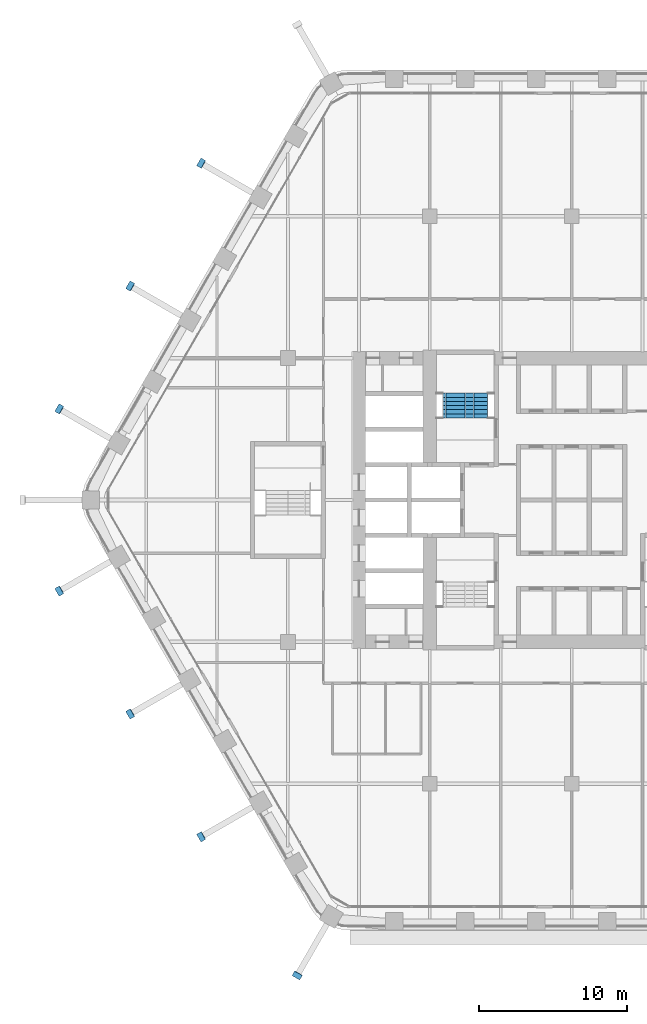
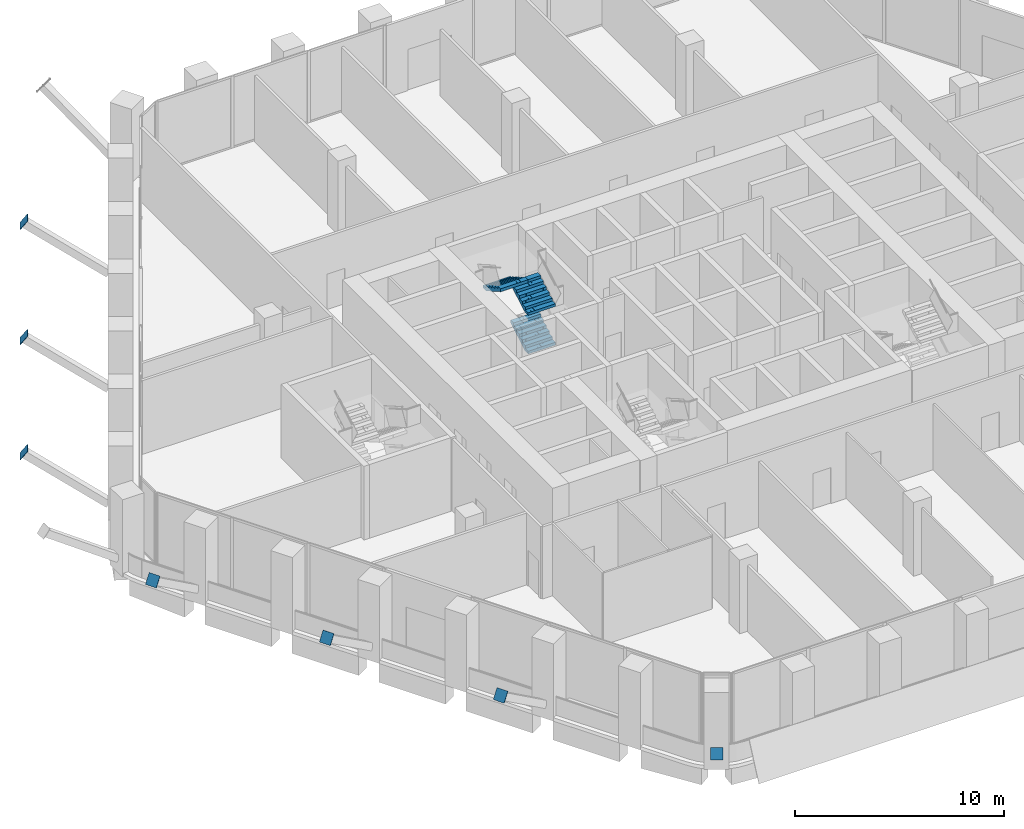
# One storey, part 23 of 27: 7 discrete accessories, 3 stair flights, 1 element without a shape of its own.
"""IFC4 building model written with IfcOpenShell, lengths in metres."""

from ifc_helpers import new_model, si_unit, direction, frame, origin, origin_2d, place, context, subcontext, project, spatial, polyline, rectangle, outline, extrude, material, type_object, element, aggregate, save


model = new_model("IFC4")

# Units and contexts
model_context = context("Model", 3, precision=1e-05, world=origin(), true_north=direction((0.0, 1.0)))
body_context = subcontext(model_context, "Body", "Model", "MODEL_VIEW")
ifc_project = project(units=[si_unit("LENGTHUNIT", "METRE"), si_unit("AREAUNIT", "SQUARE_METRE"), si_unit("VOLUMEUNIT", "CUBIC_METRE"), si_unit("PLANEANGLEUNIT", "RADIAN"), si_unit("MASSUNIT", "GRAM", prefix="KILO")], contexts=[model_context])

# Site, building, storey
site_placement = place(None, origin())
site = spatial("IfcSite", under=ifc_project, at=site_placement, CompositionType="ELEMENT")
building_placement = place(site_placement, origin())
building = spatial("IfcBuilding", under=site, at=building_placement, Name="Kolab Exchange Tower", CompositionType="ELEMENT")
storey_placement = place(building_placement, frame((0.0, 0.0, 118.39990234375)))
storey = spatial("IfcBuildingStorey", under=building, at=storey_placement, Name="L23", CompositionType="ELEMENT", Elevation=118.39990234375)

# Stair, stair flights
ifc_material = material(Name="Concrete C50/60", Category="concrete")
stair_type = type_object("IfcStairType", Name="STAIR ST1 RISER 160.7", PredefinedType="DOUBLE_RETURN_STAIR", material=ifc_material)
stair_placement = place(storey_placement, origin())
stair = element("IfcStair", 1, at=stair_placement, inside=storey, type_object=stair_type, Name="Stair 1", PredefinedType="DOUBLE_RETURN_STAIR")
stair_flight_type = type_object("IfcStairFlightType", Name="STAIR FLIGHT 1500 RISER 160.7", PredefinedType="STRAIGHT", material=ifc_material)
stair_flight_1_placement = place(storey_placement, frame((-6.43994140625, 5.550048828125, 0.0), z_axis=(0.0, 0.0, 1.0), x_axis=(0.0, 1.0, 0.0)))
stair_flight_1 = element("IfcStairFlight", 2, at=stair_flight_1_placement, type_object=stair_flight_type, Name="ST1 flight 1", NumberOfRisers=7, NumberOfTreads=6, PredefinedType="STRAIGHT", RiserHeight=0.160714286, TreadLength=0.28, context=body_context, shape_type="SweptSolid", body=[
    extrude(outline(polyline([(0.0, 0.0), (0.0, 0.16064453125), (0.280029296875, 0.16064453125), (0.280029296875, 0.321533203125), (0.56005859375, 0.321533203125), (0.56005859375, 0.482177734375), (0.840087890625, 0.482177734375), (0.840087890625, 0.642822265625), (1.1201171875, 0.642822265625), (1.1201171875, 0.803466796875), (1.39990234375, 0.803466796875), (1.39990234375, 0.96435546875), (1.679931640625, 0.96435546875), (1.679931640625, 1.125), (1.679931640625, 0.79150390625), (0.301025390625, 0.0), (0.0, 0.0)])), frame((0.0, 0.75, 0.0), z_axis=(0.0, -1.0, 0.0), x_axis=(1.0, 0.0, 0.0)), (0.0, 0.0, 1.0), 0.185791015625),
    extrude(outline(polyline([(0.0, 0.0), (0.0, 0.16064453125), (0.280029296875, 0.16064453125), (0.280029296875, 0.321533203125), (0.56005859375, 0.321533203125), (0.56005859375, 0.482177734375), (0.840087890625, 0.482177734375), (0.840087890625, 0.642822265625), (1.1201171875, 0.642822265625), (1.1201171875, 0.803466796875), (1.39990234375, 0.803466796875), (1.39990234375, 0.96435546875), (1.679931640625, 0.96435546875), (1.679931640625, 1.125), (1.679931640625, 0.79150390625), (0.301025390625, 0.0), (0.0, 0.0)])), frame((0.0, 0.562255859375, 0.0), z_axis=(0.0, -1.0, 0.0), x_axis=(1.0, 0.0, 0.0)), (0.0, 0.0, 1.0), 0.185791015625),
    extrude(outline(polyline([(0.0, 0.0), (0.0, 0.16064453125), (0.280029296875, 0.16064453125), (0.280029296875, 0.321533203125), (0.56005859375, 0.321533203125), (0.56005859375, 0.482177734375), (0.840087890625, 0.482177734375), (0.840087890625, 0.642822265625), (1.1201171875, 0.642822265625), (1.1201171875, 0.803466796875), (1.39990234375, 0.803466796875), (1.39990234375, 0.96435546875), (1.679931640625, 0.96435546875), (1.679931640625, 1.125), (1.679931640625, 0.79150390625), (0.301025390625, 0.0), (0.0, 0.0)])), frame((0.0, 0.37451171875, 0.0), z_axis=(0.0, -1.0, 0.0), x_axis=(1.0, 0.0, 0.0)), (0.0, 0.0, 1.0), 0.185791015625),
    extrude(outline(polyline([(0.0, 0.0), (0.0, 0.16064453125), (0.280029296875, 0.16064453125), (0.280029296875, 0.321533203125), (0.56005859375, 0.321533203125), (0.56005859375, 0.482177734375), (0.840087890625, 0.482177734375), (0.840087890625, 0.642822265625), (1.1201171875, 0.642822265625), (1.1201171875, 0.803466796875), (1.39990234375, 0.803466796875), (1.39990234375, 0.96435546875), (1.679931640625, 0.96435546875), (1.679931640625, 1.125), (1.679931640625, 0.79150390625), (0.301025390625, 0.0), (0.0, 0.0)])), frame((0.0, 0.186767578125, 0.0), z_axis=(0.0, -1.0, 0.0), x_axis=(1.0, 0.0, 0.0)), (0.0, 0.0, 1.0), 0.185791015625),
    extrude(outline(polyline([(0.0, 0.0), (0.0, 0.16064453125), (0.280029296875, 0.16064453125), (0.280029296875, 0.321533203125), (0.56005859375, 0.321533203125), (0.56005859375, 0.482177734375), (0.840087890625, 0.482177734375), (0.840087890625, 0.642822265625), (1.1201171875, 0.642822265625), (1.1201171875, 0.803466796875), (1.39990234375, 0.803466796875), (1.39990234375, 0.96435546875), (1.679931640625, 0.96435546875), (1.679931640625, 1.125), (1.679931640625, 0.79150390625), (0.301025390625, 0.0), (0.0, 0.0)])), frame((0.0, -0.0009765625, 0.0), z_axis=(0.0, -1.0, 0.0), x_axis=(1.0, 0.0, 0.0)), (0.0, 0.0, 1.0), 0.185791015625),
    extrude(outline(polyline([(0.0, 0.0), (0.0, 0.16064453125), (0.280029296875, 0.16064453125), (0.280029296875, 0.321533203125), (0.56005859375, 0.321533203125), (0.56005859375, 0.482177734375), (0.840087890625, 0.482177734375), (0.840087890625, 0.642822265625), (1.1201171875, 0.642822265625), (1.1201171875, 0.803466796875), (1.39990234375, 0.803466796875), (1.39990234375, 0.96435546875), (1.679931640625, 0.96435546875), (1.679931640625, 1.125), (1.679931640625, 0.79150390625), (0.301025390625, 0.0), (0.0, 0.0)])), frame((0.0, -0.188720703125, 0.0), z_axis=(0.0, -1.0, 0.0), x_axis=(1.0, 0.0, 0.0)), (0.0, 0.0, 1.0), 0.185791015625),
    extrude(outline(polyline([(0.0, 0.0), (0.0, 0.16064453125), (0.280029296875, 0.16064453125), (0.280029296875, 0.321533203125), (0.56005859375, 0.321533203125), (0.56005859375, 0.482177734375), (0.840087890625, 0.482177734375), (0.840087890625, 0.642822265625), (1.1201171875, 0.642822265625), (1.1201171875, 0.803466796875), (1.39990234375, 0.803466796875), (1.39990234375, 0.96435546875), (1.679931640625, 0.96435546875), (1.679931640625, 1.125), (1.679931640625, 0.79150390625), (0.301025390625, 0.0), (0.0, 0.0)])), frame((0.0, -0.37646484375, 0.0), z_axis=(0.0, -1.0, 0.0), x_axis=(1.0, 0.0, 0.0)), (0.0, 0.0, 1.0), 0.185791015625),
    extrude(outline(polyline([(0.0, 0.0), (0.0, 0.16064453125), (0.280029296875, 0.16064453125), (0.280029296875, 0.321533203125), (0.56005859375, 0.321533203125), (0.56005859375, 0.482177734375), (0.840087890625, 0.482177734375), (0.840087890625, 0.642822265625), (1.1201171875, 0.642822265625), (1.1201171875, 0.803466796875), (1.39990234375, 0.803466796875), (1.39990234375, 0.96435546875), (1.679931640625, 0.96435546875), (1.679931640625, 1.125), (1.679931640625, 0.79150390625), (0.301025390625, 0.0), (0.0, 0.0)])), frame((0.0, -0.564208984375, 0.0), z_axis=(0.0, -1.0, 0.0), x_axis=(1.0, 0.0, 0.0)), (0.0, 0.0, 1.0), 0.185791015625),
])
stair_flight_2_placement = place(storey_placement, frame((-6.43994140625, 5.550048828125, 2.25), z_axis=(0.0, 0.0, 1.0), x_axis=(0.0, 1.0, 0.0)))
stair_flight_2 = element("IfcStairFlight", 3, at=stair_flight_2_placement, type_object=stair_flight_type, Name="ST1 flight 3", NumberOfRisers=7, NumberOfTreads=6, PredefinedType="STRAIGHT", RiserHeight=0.160714286, TreadLength=0.28, context=body_context, shape_type="SweptSolid", body=[
    extrude(outline(polyline([(0.0, 0.0), (0.0, 0.16064453125), (0.280029296875, 0.16064453125), (0.280029296875, 0.321533203125), (0.56005859375, 0.321533203125), (0.56005859375, 0.482177734375), (0.840087890625, 0.482177734375), (0.840087890625, 0.642822265625), (1.1201171875, 0.642822265625), (1.1201171875, 0.803466796875), (1.39990234375, 0.803466796875), (1.39990234375, 0.96435546875), (1.679931640625, 0.96435546875), (1.679931640625, 1.125), (1.679931640625, 0.79150390625), (0.301025390625, 0.0), (0.0, 0.0)])), frame((0.0, 0.75, 0.0), z_axis=(0.0, -1.0, 0.0), x_axis=(1.0, 0.0, 0.0)), (0.0, 0.0, 1.0), 0.185791015625),
    extrude(outline(polyline([(0.0, 0.0), (0.0, 0.16064453125), (0.280029296875, 0.16064453125), (0.280029296875, 0.321533203125), (0.56005859375, 0.321533203125), (0.56005859375, 0.482177734375), (0.840087890625, 0.482177734375), (0.840087890625, 0.642822265625), (1.1201171875, 0.642822265625), (1.1201171875, 0.803466796875), (1.39990234375, 0.803466796875), (1.39990234375, 0.96435546875), (1.679931640625, 0.96435546875), (1.679931640625, 1.125), (1.679931640625, 0.79150390625), (0.301025390625, 0.0), (0.0, 0.0)])), frame((0.0, 0.562255859375, 0.0), z_axis=(0.0, -1.0, 0.0), x_axis=(1.0, 0.0, 0.0)), (0.0, 0.0, 1.0), 0.185791015625),
    extrude(outline(polyline([(0.0, 0.0), (0.0, 0.16064453125), (0.280029296875, 0.16064453125), (0.280029296875, 0.321533203125), (0.56005859375, 0.321533203125), (0.56005859375, 0.482177734375), (0.840087890625, 0.482177734375), (0.840087890625, 0.642822265625), (1.1201171875, 0.642822265625), (1.1201171875, 0.803466796875), (1.39990234375, 0.803466796875), (1.39990234375, 0.96435546875), (1.679931640625, 0.96435546875), (1.679931640625, 1.125), (1.679931640625, 0.79150390625), (0.301025390625, 0.0), (0.0, 0.0)])), frame((0.0, 0.37451171875, 0.0), z_axis=(0.0, -1.0, 0.0), x_axis=(1.0, 0.0, 0.0)), (0.0, 0.0, 1.0), 0.185791015625),
    extrude(outline(polyline([(0.0, 0.0), (0.0, 0.16064453125), (0.280029296875, 0.16064453125), (0.280029296875, 0.321533203125), (0.56005859375, 0.321533203125), (0.56005859375, 0.482177734375), (0.840087890625, 0.482177734375), (0.840087890625, 0.642822265625), (1.1201171875, 0.642822265625), (1.1201171875, 0.803466796875), (1.39990234375, 0.803466796875), (1.39990234375, 0.96435546875), (1.679931640625, 0.96435546875), (1.679931640625, 1.125), (1.679931640625, 0.79150390625), (0.301025390625, 0.0), (0.0, 0.0)])), frame((0.0, 0.186767578125, 0.0), z_axis=(0.0, -1.0, 0.0), x_axis=(1.0, 0.0, 0.0)), (0.0, 0.0, 1.0), 0.185791015625),
    extrude(outline(polyline([(0.0, 0.0), (0.0, 0.16064453125), (0.280029296875, 0.16064453125), (0.280029296875, 0.321533203125), (0.56005859375, 0.321533203125), (0.56005859375, 0.482177734375), (0.840087890625, 0.482177734375), (0.840087890625, 0.642822265625), (1.1201171875, 0.642822265625), (1.1201171875, 0.803466796875), (1.39990234375, 0.803466796875), (1.39990234375, 0.96435546875), (1.679931640625, 0.96435546875), (1.679931640625, 1.125), (1.679931640625, 0.79150390625), (0.301025390625, 0.0), (0.0, 0.0)])), frame((0.0, -0.0009765625, 0.0), z_axis=(0.0, -1.0, 0.0), x_axis=(1.0, 0.0, 0.0)), (0.0, 0.0, 1.0), 0.185791015625),
    extrude(outline(polyline([(0.0, 0.0), (0.0, 0.16064453125), (0.280029296875, 0.16064453125), (0.280029296875, 0.321533203125), (0.56005859375, 0.321533203125), (0.56005859375, 0.482177734375), (0.840087890625, 0.482177734375), (0.840087890625, 0.642822265625), (1.1201171875, 0.642822265625), (1.1201171875, 0.803466796875), (1.39990234375, 0.803466796875), (1.39990234375, 0.96435546875), (1.679931640625, 0.96435546875), (1.679931640625, 1.125), (1.679931640625, 0.79150390625), (0.301025390625, 0.0), (0.0, 0.0)])), frame((0.0, -0.188720703125, 0.0), z_axis=(0.0, -1.0, 0.0), x_axis=(1.0, 0.0, 0.0)), (0.0, 0.0, 1.0), 0.185791015625),
    extrude(outline(polyline([(0.0, 0.0), (0.0, 0.16064453125), (0.280029296875, 0.16064453125), (0.280029296875, 0.321533203125), (0.56005859375, 0.321533203125), (0.56005859375, 0.482177734375), (0.840087890625, 0.482177734375), (0.840087890625, 0.642822265625), (1.1201171875, 0.642822265625), (1.1201171875, 0.803466796875), (1.39990234375, 0.803466796875), (1.39990234375, 0.96435546875), (1.679931640625, 0.96435546875), (1.679931640625, 1.125), (1.679931640625, 0.79150390625), (0.301025390625, 0.0), (0.0, 0.0)])), frame((0.0, -0.37646484375, 0.0), z_axis=(0.0, -1.0, 0.0), x_axis=(1.0, 0.0, 0.0)), (0.0, 0.0, 1.0), 0.185791015625),
    extrude(outline(polyline([(0.0, 0.0), (0.0, 0.16064453125), (0.280029296875, 0.16064453125), (0.280029296875, 0.321533203125), (0.56005859375, 0.321533203125), (0.56005859375, 0.482177734375), (0.840087890625, 0.482177734375), (0.840087890625, 0.642822265625), (1.1201171875, 0.642822265625), (1.1201171875, 0.803466796875), (1.39990234375, 0.803466796875), (1.39990234375, 0.96435546875), (1.679931640625, 0.96435546875), (1.679931640625, 1.125), (1.679931640625, 0.79150390625), (0.301025390625, 0.0), (0.0, 0.0)])), frame((0.0, -0.564208984375, 0.0), z_axis=(0.0, -1.0, 0.0), x_axis=(1.0, 0.0, 0.0)), (0.0, 0.0, 1.0), 0.185791015625),
])
stair_flight_3_placement = place(storey_placement, frame((-7.9599609375, 7.22998046875, 3.375), z_axis=(0.0, 0.0, 1.0), x_axis=(0.0, -1.0, 0.0)))
stair_flight_3 = element("IfcStairFlight", 4, at=stair_flight_3_placement, type_object=stair_flight_type, Name="ST1 flight 4", NumberOfRisers=7, NumberOfTreads=6, PredefinedType="STRAIGHT", RiserHeight=0.160714286, TreadLength=0.28, context=body_context, shape_type="SweptSolid", body=[
    extrude(outline(polyline([(0.0, 0.0), (0.0, 0.16064453125), (0.280029296875, 0.16064453125), (0.280029296875, 0.321533203125), (0.56005859375, 0.321533203125), (0.56005859375, 0.482177734375), (0.840087890625, 0.482177734375), (0.840087890625, 0.642822265625), (1.1201171875, 0.642822265625), (1.1201171875, 0.803466796875), (1.39990234375, 0.803466796875), (1.39990234375, 0.96435546875), (1.679931640625, 0.96435546875), (1.679931640625, 1.125), (1.679931640625, 0.79150390625), (0.301025390625, 0.0), (0.0, 0.0)])), frame((0.0, 0.75, 0.0), z_axis=(0.0, -1.0, 0.0), x_axis=(1.0, 0.0, 0.0)), (0.0, 0.0, 1.0), 0.185791015625),
    extrude(outline(polyline([(0.0, 0.0), (0.0, 0.16064453125), (0.280029296875, 0.16064453125), (0.280029296875, 0.321533203125), (0.56005859375, 0.321533203125), (0.56005859375, 0.482177734375), (0.840087890625, 0.482177734375), (0.840087890625, 0.642822265625), (1.1201171875, 0.642822265625), (1.1201171875, 0.803466796875), (1.39990234375, 0.803466796875), (1.39990234375, 0.96435546875), (1.679931640625, 0.96435546875), (1.679931640625, 1.125), (1.679931640625, 0.79150390625), (0.301025390625, 0.0), (0.0, 0.0)])), frame((0.0, 0.562255859375, 0.0), z_axis=(0.0, -1.0, 0.0), x_axis=(1.0, 0.0, 0.0)), (0.0, 0.0, 1.0), 0.185791015625),
    extrude(outline(polyline([(0.0, 0.0), (0.0, 0.16064453125), (0.280029296875, 0.16064453125), (0.280029296875, 0.321533203125), (0.56005859375, 0.321533203125), (0.56005859375, 0.482177734375), (0.840087890625, 0.482177734375), (0.840087890625, 0.642822265625), (1.1201171875, 0.642822265625), (1.1201171875, 0.803466796875), (1.39990234375, 0.803466796875), (1.39990234375, 0.96435546875), (1.679931640625, 0.96435546875), (1.679931640625, 1.125), (1.679931640625, 0.79150390625), (0.301025390625, 0.0), (0.0, 0.0)])), frame((0.0, 0.37451171875, 0.0), z_axis=(0.0, -1.0, 0.0), x_axis=(1.0, 0.0, 0.0)), (0.0, 0.0, 1.0), 0.185791015625),
    extrude(outline(polyline([(0.0, 0.0), (0.0, 0.16064453125), (0.280029296875, 0.16064453125), (0.280029296875, 0.321533203125), (0.56005859375, 0.321533203125), (0.56005859375, 0.482177734375), (0.840087890625, 0.482177734375), (0.840087890625, 0.642822265625), (1.1201171875, 0.642822265625), (1.1201171875, 0.803466796875), (1.39990234375, 0.803466796875), (1.39990234375, 0.96435546875), (1.679931640625, 0.96435546875), (1.679931640625, 1.125), (1.679931640625, 0.79150390625), (0.301025390625, 0.0), (0.0, 0.0)])), frame((0.0, 0.186767578125, 0.0), z_axis=(0.0, -1.0, 0.0), x_axis=(1.0, 0.0, 0.0)), (0.0, 0.0, 1.0), 0.185791015625),
    extrude(outline(polyline([(0.0, 0.0), (0.0, 0.16064453125), (0.280029296875, 0.16064453125), (0.280029296875, 0.321533203125), (0.56005859375, 0.321533203125), (0.56005859375, 0.482177734375), (0.840087890625, 0.482177734375), (0.840087890625, 0.642822265625), (1.1201171875, 0.642822265625), (1.1201171875, 0.803466796875), (1.39990234375, 0.803466796875), (1.39990234375, 0.96435546875), (1.679931640625, 0.96435546875), (1.679931640625, 1.125), (1.679931640625, 0.79150390625), (0.301025390625, 0.0), (0.0, 0.0)])), frame((0.0, -0.0009765625, 0.0), z_axis=(0.0, -1.0, 0.0), x_axis=(1.0, 0.0, 0.0)), (0.0, 0.0, 1.0), 0.185791015625),
    extrude(outline(polyline([(0.0, 0.0), (0.0, 0.16064453125), (0.280029296875, 0.16064453125), (0.280029296875, 0.321533203125), (0.56005859375, 0.321533203125), (0.56005859375, 0.482177734375), (0.840087890625, 0.482177734375), (0.840087890625, 0.642822265625), (1.1201171875, 0.642822265625), (1.1201171875, 0.803466796875), (1.39990234375, 0.803466796875), (1.39990234375, 0.96435546875), (1.679931640625, 0.96435546875), (1.679931640625, 1.125), (1.679931640625, 0.79150390625), (0.301025390625, 0.0), (0.0, 0.0)])), frame((0.0, -0.188720703125, 0.0), z_axis=(0.0, -1.0, 0.0), x_axis=(1.0, 0.0, 0.0)), (0.0, 0.0, 1.0), 0.185791015625),
    extrude(outline(polyline([(0.0, 0.0), (0.0, 0.16064453125), (0.280029296875, 0.16064453125), (0.280029296875, 0.321533203125), (0.56005859375, 0.321533203125), (0.56005859375, 0.482177734375), (0.840087890625, 0.482177734375), (0.840087890625, 0.642822265625), (1.1201171875, 0.642822265625), (1.1201171875, 0.803466796875), (1.39990234375, 0.803466796875), (1.39990234375, 0.96435546875), (1.679931640625, 0.96435546875), (1.679931640625, 1.125), (1.679931640625, 0.79150390625), (0.301025390625, 0.0), (0.0, 0.0)])), frame((0.0, -0.37646484375, 0.0), z_axis=(0.0, -1.0, 0.0), x_axis=(1.0, 0.0, 0.0)), (0.0, 0.0, 1.0), 0.185791015625),
    extrude(outline(polyline([(0.0, 0.0), (0.0, 0.16064453125), (0.280029296875, 0.16064453125), (0.280029296875, 0.321533203125), (0.56005859375, 0.321533203125), (0.56005859375, 0.482177734375), (0.840087890625, 0.482177734375), (0.840087890625, 0.642822265625), (1.1201171875, 0.642822265625), (1.1201171875, 0.803466796875), (1.39990234375, 0.803466796875), (1.39990234375, 0.96435546875), (1.679931640625, 0.96435546875), (1.679931640625, 1.125), (1.679931640625, 0.79150390625), (0.301025390625, 0.0), (0.0, 0.0)])), frame((0.0, -0.564208984375, 0.0), z_axis=(0.0, -1.0, 0.0), x_axis=(1.0, 0.0, 0.0)), (0.0, 0.0, 1.0), 0.185791015625),
])
aggregate(stair, [stair_flight_1, stair_flight_2, stair_flight_3])

# Discrete accessories
for number, where, z_axis, x_axis, name in (
    (5, (-18.56787109375, -32.16064453125, 3.51806640625), (-0.400787566766, -0.703822068467, 0.586518390389), (0.868984891377, -0.494838618701, 0.0), "Gusset plate"),
    (6, (-25.064208984375, -22.78466796875, 3.51806640625), (-0.703822068467, -0.400787566766, 0.586518390389), (0.494838618701, -0.868984891377, 0.0), "Gusset plate"),
):
    element("IfcDiscreteAccessory", number, at=place(storey_placement, frame(where, z_axis=z_axis, x_axis=x_axis)), inside=storey, Name=name, ObjectType="GUSSET PLATE", PredefinedType="USERDEFINED", context=body_context, shape_type="SweptSolid", body=[
        extrude(rectangle(XDim=0.60009765625, YDim=0.60009765625, at=origin_2d()), origin(), (0.0, 0.0, 1.0), 0.02490234375),
    ])
discrete_accessory_1_placement = place(storey_placement, frame((-29.864013671875, -14.470703125, 3.51806640625), z_axis=(-0.701047485404, -0.408944366486, 0.584206237837), x_axis=(0.503871025524, -0.863778900898, 0.0)))
element("IfcDiscreteAccessory", 7, at=discrete_accessory_1_placement, inside=storey, Name="Gusset plate", ObjectType="GUSSET PLATE", PredefinedType="USERDEFINED", context=body_context, shape_type="SweptSolid", body=[
    extrude(rectangle(XDim=0.60009765625, YDim=0.60009765625, at=origin_2d()), origin(), (0.0, 0.0, 1.0), 0.025146484375),
])
for number, where, z_axis, x_axis, name in (
    (8, (-34.6640625, -6.156982421875, 3.51806640625), (-0.703822068467, -0.400787566766, 0.586518390389), (0.494838618701, -0.868984891377, 0.0), "Gusset plate"),
    (9, (-34.6640625, 6.156982421875, 3.51806640625), (-0.703822068467, 0.400787566766, 0.586518390389), (-0.494838618701, -0.868984891377, 0.0), "Gusset plate"),
):
    element("IfcDiscreteAccessory", number, at=place(storey_placement, frame(where, z_axis=z_axis, x_axis=x_axis)), inside=storey, Name=name, ObjectType="GUSSET PLATE", PredefinedType="USERDEFINED", context=body_context, shape_type="SweptSolid", body=[
        extrude(rectangle(XDim=0.60009765625, YDim=0.60009765625, at=origin_2d()), origin(), (0.0, 0.0, 1.0), 0.02490234375),
    ])
discrete_accessory_2_placement = place(storey_placement, frame((-29.864013671875, 14.470703125, 3.51806640625), z_axis=(-0.701047485404, 0.408944366486, 0.584206237837), x_axis=(-0.503871025524, -0.863778900898, 0.0)))
element("IfcDiscreteAccessory", 10, at=discrete_accessory_2_placement, inside=storey, Name="Gusset plate", ObjectType="GUSSET PLATE", PredefinedType="USERDEFINED", context=body_context, shape_type="SweptSolid", body=[
    extrude(rectangle(XDim=0.60009765625, YDim=0.60009765625, at=origin_2d()), origin(), (0.0, 0.0, 1.0), 0.025146484375),
])
discrete_accessory_3_placement = place(storey_placement, frame((-25.064208984375, 22.78466796875, 3.51806640625), z_axis=(-0.703822068467, 0.400787566766, 0.586518390389), x_axis=(-0.494838618701, -0.868984891377, 0.0)))
element("IfcDiscreteAccessory", 11, at=discrete_accessory_3_placement, inside=storey, Name="Gusset plate", ObjectType="GUSSET PLATE", PredefinedType="USERDEFINED", context=body_context, shape_type="SweptSolid", body=[
    extrude(rectangle(XDim=0.60009765625, YDim=0.60009765625, at=origin_2d()), origin(), (0.0, 0.0, 1.0), 0.02490234375),
])

save(model, "model.ifc")
